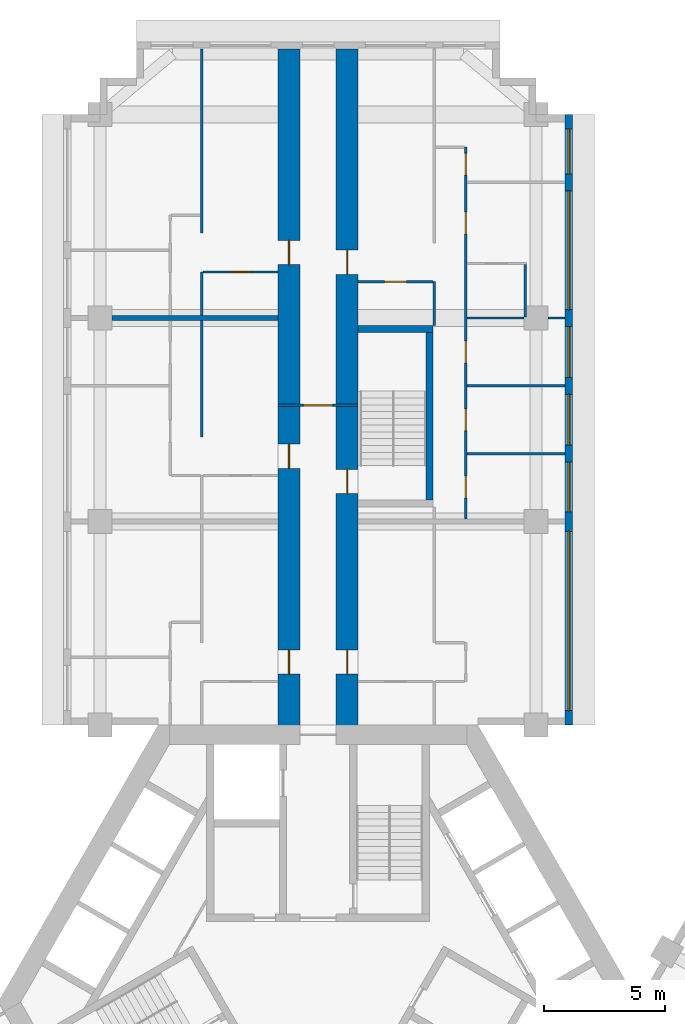
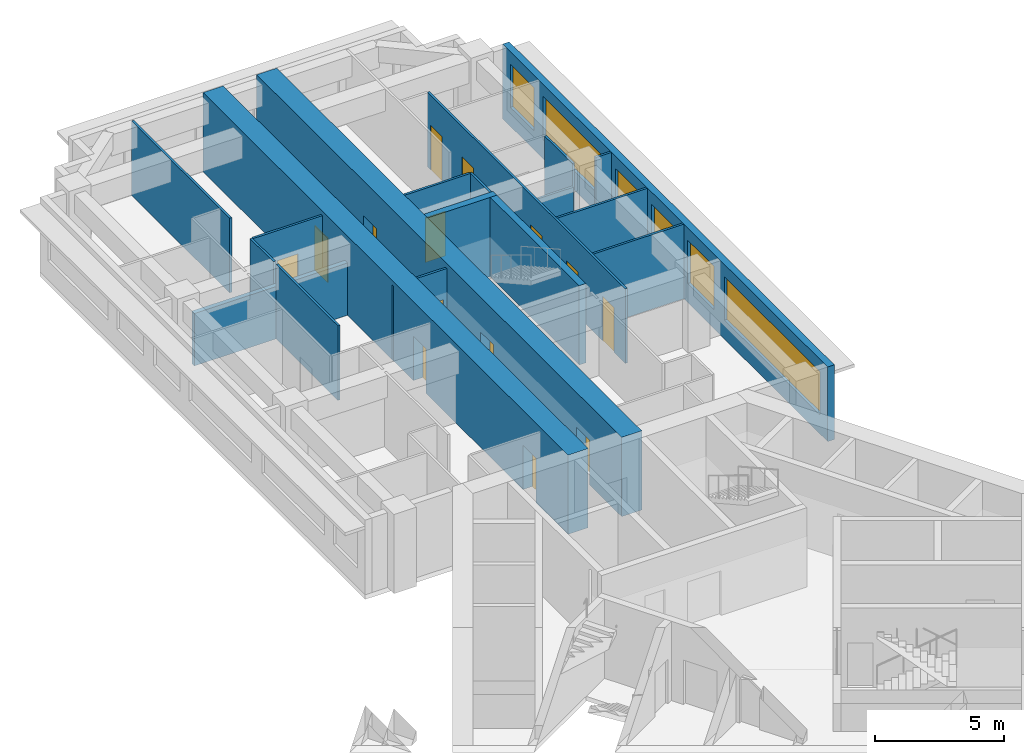
# One storey, part 10 of 14: 19 walls, 14 doors, 6 windows, 20 openings.
"""IFC4 building model written with IfcOpenShell, lengths in metres."""

from ifc_helpers import new_model, si_unit, direction, frame, frame_2d, origin, place, context, subcontext, project, spatial, rectangle, extrude, material, layer, layer_set, type_object, element, fill, save


model = new_model("IFC4")

# Units and contexts
model_context = context("Model", 3, precision=1e-05, world=origin(), true_north=direction((0.0, 1.0)))
body_context = subcontext(model_context, "Body", "Model", "MODEL_VIEW")
ifc_project = project(units=[si_unit("LENGTHUNIT", "METRE"), si_unit("AREAUNIT", "SQUARE_METRE"), si_unit("VOLUMEUNIT", "CUBIC_METRE"), si_unit("PLANEANGLEUNIT", "RADIAN"), si_unit("MASSUNIT", "GRAM", prefix="KILO")], contexts=[model_context])

# Site, building, storey
site_placement = place(None, origin())
site = spatial("IfcSite", under=ifc_project, at=site_placement, CompositionType="ELEMENT")
building_placement = place(site_placement, origin())
building = spatial("IfcBuilding", under=site, at=building_placement, Name="Impinga Residences", CompositionType="ELEMENT")
storey_placement = place(building_placement, frame((0.0, 0.0, 158.5)))
storey = spatial("IfcBuildingStorey", under=building, at=storey_placement, Name="L39", CompositionType="ELEMENT", Elevation=158.5)

# Wall, openings, doors
ifc_material_1 = material(Name="Concrete C60/75", Category="concrete")
ifc_layer_1 = layer(ifc_material_1, 0.89990234375)
ifc_layer_set_1 = layer_set([ifc_layer_1], Name="Concrete C60/75")
wall_type_1 = type_object("IfcWallType", Name="BW2 corridor buttress wall, L24 to L44 900", PredefinedType="SHEAR", material=ifc_layer_set_1)
wall_1_placement = place(storey_placement, frame((-1.199951171875, 11.031494140625, 0.0), z_axis=(0.0, 0.0, 1.0), x_axis=(0.0, 1.0, 0.0)))
wall_1 = element("IfcWall", 1, at=wall_1_placement, inside=storey, type_object=wall_type_1, Name="Corridor wall BW2 NC L39", PredefinedType="SHEAR", context=body_context, shape_type="SweptSolid", body=[
    extrude(rectangle(XDim=28.300048828125, YDim=0.89990234375, at=frame_2d((14.14990234375, 0.0))), origin(), (0.0, 0.0, 1.0), 3.75),
])
opening_1_placement = place(wall_1_placement, frame((2.5, 0.0, 0.0)))
opening_1 = element("IfcOpeningElement", 2, at=opening_1_placement, cuts=wall_1, Name="Opening D1", PredefinedType="OPENING", context=body_context, shape_type="SweptSolid", body=[
    extrude(rectangle(XDim=1.0, YDim=2.10009765625, at=frame_2d((0.5, 1.050048828125))), frame((0.0, 0.4599609375, 0.0), z_axis=(0.0, -1.0, 0.0), x_axis=(1.0, 0.0, 0.0)), (0.0, 0.0, 1.0), 0.919921875),
])
opening_2_placement = place(wall_1_placement, frame((11.0, 0.0, 0.0)))
opening_2 = element("IfcOpeningElement", 3, at=opening_2_placement, cuts=wall_1, Name="Opening D1", PredefinedType="OPENING", context=body_context, shape_type="SweptSolid", body=[
    extrude(rectangle(XDim=1.0, YDim=2.10009765625, at=frame_2d((0.5, 1.050048828125))), frame((0.0, 0.4599609375, 0.0), z_axis=(0.0, -1.0, 0.0), x_axis=(1.0, 0.0, 0.0)), (0.0, 0.0, 1.0), 0.919921875),
])
opening_3_placement = place(wall_1_placement, frame((19.39990234375, 0.0, 0.0)))
opening_3 = element("IfcOpeningElement", 4, at=opening_3_placement, cuts=wall_1, Name="Opening D1", PredefinedType="OPENING", context=body_context, shape_type="SweptSolid", body=[
    extrude(rectangle(XDim=1.0, YDim=2.10009765625, at=frame_2d((0.5, 1.050048828125))), frame((0.0, 0.4599609375, 0.0), z_axis=(0.0, -1.0, 0.0), x_axis=(1.0, 0.0, 0.0)), (0.0, 0.0, 1.0), 0.919921875),
])
ifc_material_2 = material(Name="Timber door set", Category="wood")
door_type_1 = type_object("IfcDoorType", Name="D1 apartment entrance door 1000x2100", OperationType="SINGLE_SWING_LEFT", PredefinedType="DOOR", material=ifc_material_2)
door_1_placement = place(opening_1_placement, origin())
door_1 = element("IfcDoor", 5, at=door_1_placement, inside=storey, type_object=door_type_1, Name="Apartment L39-NA1 entrance", OperationType="SINGLE_SWING_LEFT", OverallHeight=2.10009765625, OverallWidth=1.0, PredefinedType="DOOR", context=body_context, shape_type="SweptSolid", body=[
    extrude(rectangle(XDim=1.0, YDim=2.10009765625, at=frame_2d((0.5, 1.050048828125))), frame((0.0, 0.02490234375, 0.0), z_axis=(0.0, -1.0, 0.0), x_axis=(1.0, 0.0, 0.0)), (0.0, 0.0, 1.0), 0.050048828125),
])
fill(opening_1, door_1)
door_2_placement = place(opening_2_placement, origin())
door_2 = element("IfcDoor", 6, at=door_2_placement, inside=storey, type_object=door_type_1, Name="Apartment L39-NA2 entrance", OperationType="SINGLE_SWING_LEFT", OverallHeight=2.10009765625, OverallWidth=1.0, PredefinedType="DOOR", context=body_context, shape_type="SweptSolid", body=[
    extrude(rectangle(XDim=1.0, YDim=2.10009765625, at=frame_2d((0.5, 1.050048828125))), frame((0.0, 0.02490234375, 0.0), z_axis=(0.0, -1.0, 0.0), x_axis=(1.0, 0.0, 0.0)), (0.0, 0.0, 1.0), 0.050048828125),
])
fill(opening_2, door_2)
door_3_placement = place(opening_3_placement, origin())
door_3 = element("IfcDoor", 7, at=door_3_placement, inside=storey, type_object=door_type_1, Name="Apartment L39-NA3 entrance", OperationType="SINGLE_SWING_RIGHT", OverallHeight=2.10009765625, OverallWidth=1.0, PredefinedType="DOOR", context=body_context, shape_type="SweptSolid", body=[
    extrude(rectangle(XDim=1.0, YDim=2.10009765625, at=frame_2d((0.5, 1.050048828125))), frame((0.0, 0.02490234375, 0.0), z_axis=(0.0, -1.0, 0.0), x_axis=(1.0, 0.0, 0.0)), (0.0, 0.0, 1.0), 0.050048828125),
])
fill(opening_3, door_3)

wall_2_placement = place(storey_placement, frame((1.199951171875, 11.031494140625, 0.0), z_axis=(0.0, 0.0, 1.0), x_axis=(0.0, 1.0, 0.0)))
wall_2 = element("IfcWall", 8, at=wall_2_placement, inside=storey, type_object=wall_type_1, Name="Corridor wall BW2 ND L39", PredefinedType="SHEAR", context=body_context, shape_type="SweptSolid", body=[
    extrude(rectangle(XDim=28.300048828125, YDim=0.89990234375, at=frame_2d((14.14990234375, 0.0))), origin(), (0.0, 0.0, 1.0), 3.75),
])
opening_4_placement = place(wall_2_placement, frame((9.949951171875, 0.0, 0.0)))
opening_4 = element("IfcOpeningElement", 9, at=opening_4_placement, cuts=wall_2, Name="Opening D5", PredefinedType="OPENING", context=body_context, shape_type="SweptSolid", body=[
    extrude(rectangle(XDim=1.0, YDim=2.10009765625, at=frame_2d((0.5, 1.050048828125))), frame((0.0, 0.4599609375, 0.0), z_axis=(0.0, -1.0, 0.0), x_axis=(1.0, 0.0, 0.0)), (0.0, 0.0, 1.0), 0.919921875),
])
opening_5_placement = place(wall_2_placement, frame((2.5, 0.0, 0.0)))
opening_5 = element("IfcOpeningElement", 10, at=opening_5_placement, cuts=wall_2, Name="Opening D1", PredefinedType="OPENING", context=body_context, shape_type="SweptSolid", body=[
    extrude(rectangle(XDim=1.0, YDim=2.10009765625, at=frame_2d((0.5, 1.050048828125))), frame((0.0, 0.4599609375, 0.0), z_axis=(0.0, -1.0, 0.0), x_axis=(1.0, 0.0, 0.0)), (0.0, 0.0, 1.0), 0.919921875),
])
opening_6_placement = place(wall_2_placement, frame((19.0, 0.0, 0.0)))
opening_6 = element("IfcOpeningElement", 11, at=opening_6_placement, cuts=wall_2, Name="Opening D1", PredefinedType="OPENING", context=body_context, shape_type="SweptSolid", body=[
    extrude(rectangle(XDim=1.0, YDim=2.10009765625, at=frame_2d((0.5, 1.050048828125))), frame((0.0, 0.4599609375, 0.0), z_axis=(0.0, -1.0, 0.0), x_axis=(1.0, 0.0, 0.0)), (0.0, 0.0, 1.0), 0.919921875),
])
door_4_placement = place(opening_5_placement, origin())
door_4 = element("IfcDoor", 12, at=door_4_placement, inside=storey, type_object=door_type_1, Name="Apartment L39-NF1 entrance", OperationType="SINGLE_SWING_LEFT", OverallHeight=2.10009765625, OverallWidth=1.0, PredefinedType="DOOR", context=body_context, shape_type="SweptSolid", body=[
    extrude(rectangle(XDim=1.0, YDim=2.10009765625, at=frame_2d((0.5, 1.050048828125))), frame((0.0, 0.02490234375, 0.0), z_axis=(0.0, -1.0, 0.0), x_axis=(1.0, 0.0, 0.0)), (0.0, 0.0, 1.0), 0.050048828125),
])
fill(opening_5, door_4)
door_5_placement = place(opening_6_placement, origin())
door_5 = element("IfcDoor", 13, at=door_5_placement, inside=storey, type_object=door_type_1, Name="Apartment L39-NF2 entrance", OperationType="SINGLE_SWING_RIGHT", OverallHeight=2.10009765625, OverallWidth=1.0, PredefinedType="DOOR", context=body_context, shape_type="SweptSolid", body=[
    extrude(rectangle(XDim=1.0, YDim=2.10009765625, at=frame_2d((0.5, 1.050048828125))), frame((0.0, 0.02490234375, 0.0), z_axis=(0.0, -1.0, 0.0), x_axis=(1.0, 0.0, 0.0)), (0.0, 0.0, 1.0), 0.050048828125),
])
fill(opening_6, door_5)
door_type_2 = type_object("IfcDoorType", Name="D5 stair door 1000x2100", OperationType="SINGLE_SWING_LEFT", PredefinedType="DOOR", material=ifc_material_2)
door_6_placement = place(opening_4_placement, origin())
door_6 = element("IfcDoor", 14, at=door_6_placement, inside=storey, type_object=door_type_2, Name="Wing stair door N", OperationType="SINGLE_SWING_LEFT", OverallHeight=2.10009765625, OverallWidth=1.0, PredefinedType="DOOR", context=body_context, shape_type="SweptSolid", body=[
    extrude(rectangle(XDim=1.0, YDim=2.10009765625, at=frame_2d((0.5, 1.050048828125))), frame((0.0, 0.02490234375, 0.0), z_axis=(0.0, -1.0, 0.0), x_axis=(1.0, 0.0, 0.0)), (0.0, 0.0, 1.0), 0.050048828125),
])
fill(opening_4, door_6)

# Wall, opening, door
ifc_material_3 = material(Name="Concrete blockwork", Category="masonry")
ifc_layer_2 = layer(ifc_material_3, 0.10009765625)
ifc_layer_set_2 = layer_set([ifc_layer_2], Name="CP1 core room partition, blockwork 100")
wall_type_2 = type_object("IfcWallType", Name="CP1 core room partition, blockwork 100", PredefinedType="PARTITIONING", material=ifc_layer_set_2)
wall_3_placement = place(storey_placement, frame((-1.64990234375, 24.631591796875, 0.0), z_axis=(0.0, 0.0, 1.0), x_axis=(1.0, 0.0, 0.0)))
wall_3 = element("IfcWall", 15, at=wall_3_placement, inside=storey, type_object=wall_type_2, Name="Core room partition, blockwork L39:N:PLB", PredefinedType="PARTITIONING", context=body_context, shape_type="SweptSolid", body=[
    extrude(rectangle(XDim=3.2998046875, YDim=0.10009765625, at=frame_2d((1.64990234375, 0.0))), origin(), (0.0, 0.0, 1.0), 3.530029296875),
])
opening_7_placement = place(wall_3_placement, frame((1.050048828125, 0.0, 0.0)))
opening_7 = element("IfcOpeningElement", 16, at=opening_7_placement, cuts=wall_3, Name="Opening D3", PredefinedType="OPENING", context=body_context, shape_type="SweptSolid", body=[
    extrude(rectangle(XDim=1.199951171875, YDim=2.10009765625, at=frame_2d((0.60009765625, 1.050048828125))), frame((0.0, 0.06005859375, 0.0), z_axis=(0.0, -1.0, 0.0), x_axis=(1.0, 0.0, 0.0)), (0.0, 0.0, 1.0), 0.1201171875),
])
door_type_3 = type_object("IfcDoorType", Name="D3 room door, leaf and a half 1200x2100", OperationType="DOUBLE_SWING_LEFT", PredefinedType="DOOR", material=ifc_material_2)
door_7_placement = place(opening_7_placement, origin())
door_7 = element("IfcDoor", 17, at=door_7_placement, inside=storey, type_object=door_type_3, Name="Private lobby door N", OperationType="DOUBLE_SWING_LEFT", OverallHeight=2.10009765625, OverallWidth=1.199951171875, PredefinedType="DOOR", context=body_context, shape_type="SweptSolid", body=[
    extrude(rectangle(XDim=1.199951171875, YDim=2.10009765625, at=frame_2d((0.60009765625, 1.050048828125))), frame((0.0, 0.02490234375, 0.0), z_axis=(0.0, -1.0, 0.0), x_axis=(1.0, 0.0, 0.0)), (0.0, 0.0, 1.0), 0.050048828125),
])
fill(opening_7, door_7)

# Wall, openings, windows
ifc_material_4 = material(Name="Terracotta rainscreen on blockwork", Category="masonry")
ifc_layer_3 = layer(ifc_material_4, 0.300048828125)
ifc_layer_set_3 = layer_set([ifc_layer_3], Name="EW1 external wall, terracotta rainscreen on blockwork 300")
wall_type_3 = type_object("IfcWallType", Name="EW1 external wall, terracotta rainscreen on blockwork 300", PredefinedType="SOLIDWALL", material=ifc_layer_set_3)
wall_4_placement = place(storey_placement, frame((10.35009765625, 36.631591796875, 0.0), z_axis=(0.0, 0.0, 1.0), x_axis=(0.0, -1.0, 0.0)))
wall_4 = element("IfcWall", 18, at=wall_4_placement, inside=storey, type_object=wall_type_3, Name="External wall EW1 L39", PredefinedType="SOLIDWALL", context=body_context, shape_type="SweptSolid", body=[
    extrude(rectangle(XDim=25.199951171875, YDim=0.300048828125, at=frame_2d((12.60009765625, 0.0))), origin(), (0.0, 0.0, 1.0), 3.530029296875),
])
opening_8_placement = place(wall_4_placement, frame((0.60009765625, 0.0, 0.89990234375)))
opening_8 = element("IfcOpeningElement", 19, at=opening_8_placement, cuts=wall_4, Name="Opening W15", PredefinedType="OPENING", context=body_context, shape_type="SweptSolid", body=[
    extrude(rectangle(XDim=1.85009765625, YDim=2.050048828125, at=frame_2d((0.925048828125, 1.02490234375))), frame((0.0, 0.159912109375, 0.0), z_axis=(0.0, -1.0, 0.0), x_axis=(1.0, 0.0, 0.0)), (0.0, 0.0, 1.0), 0.320068359375),
])
opening_9_placement = place(wall_4_placement, frame((3.14990234375, 0.0, 0.89990234375)))
opening_9 = element("IfcOpeningElement", 20, at=opening_9_placement, cuts=wall_4, Name="Opening W16", PredefinedType="OPENING", context=body_context, shape_type="SweptSolid", body=[
    extrude(rectangle(XDim=4.89990234375, YDim=2.050048828125, at=frame_2d((2.449951171875, 1.02490234375))), frame((0.0, 0.159912109375, 0.0), z_axis=(0.0, -1.0, 0.0), x_axis=(1.0, 0.0, 0.0)), (0.0, 0.0, 1.0), 0.320068359375),
])
opening_10_placement = place(wall_4_placement, frame((8.75, 0.0, 0.89990234375)))
opening_10 = element("IfcOpeningElement", 21, at=opening_10_placement, cuts=wall_4, Name="Opening W9", PredefinedType="OPENING", context=body_context, shape_type="SweptSolid", body=[
    extrude(rectangle(XDim=2.10009765625, YDim=2.050048828125, at=frame_2d((1.050048828125, 1.02490234375))), frame((0.0, 0.159912109375, 0.0), z_axis=(0.0, -1.0, 0.0), x_axis=(1.0, 0.0, 0.0)), (0.0, 0.0, 1.0), 0.320068359375),
])
opening_11_placement = place(wall_4_placement, frame((11.550048828125, 0.0, 0.89990234375)))
opening_11 = element("IfcOpeningElement", 22, at=opening_11_placement, cuts=wall_4, Name="Opening W9", PredefinedType="OPENING", context=body_context, shape_type="SweptSolid", body=[
    extrude(rectangle(XDim=2.10009765625, YDim=2.050048828125, at=frame_2d((1.050048828125, 1.02490234375))), frame((0.0, 0.159912109375, 0.0), z_axis=(0.0, -1.0, 0.0), x_axis=(1.0, 0.0, 0.0)), (0.0, 0.0, 1.0), 0.320068359375),
])
opening_12_placement = place(wall_4_placement, frame((14.35009765625, 0.0, 0.89990234375)))
opening_12 = element("IfcOpeningElement", 23, at=opening_12_placement, cuts=wall_4, Name="Opening W14", PredefinedType="OPENING", context=body_context, shape_type="SweptSolid", body=[
    extrude(rectangle(XDim=2.050048828125, YDim=2.050048828125, at=frame_2d((1.02490234375, 1.02490234375))), frame((0.0, 0.159912109375, 0.0), z_axis=(0.0, -1.0, 0.0), x_axis=(1.0, 0.0, 0.0)), (0.0, 0.0, 1.0), 0.320068359375),
])
opening_13_placement = place(wall_4_placement, frame((17.199951171875, 0.0, 0.89990234375)))
opening_13 = element("IfcOpeningElement", 24, at=opening_13_placement, cuts=wall_4, Name="Opening W12", PredefinedType="OPENING", context=body_context, shape_type="SweptSolid", body=[
    extrude(rectangle(XDim=7.39990234375, YDim=2.050048828125, at=frame_2d((3.699951171875, 1.02490234375))), frame((0.0, 0.159912109375, 0.0), z_axis=(0.0, -1.0, 0.0), x_axis=(1.0, 0.0, 0.0)), (0.0, 0.0, 1.0), 0.320068359375),
])
ifc_material_5 = material(Name="Aluminium window, clear double glazing", Category="aluminium")
window_type_1 = type_object("IfcWindowType", Name="W12 ribbon window 7400x2050", PartitioningType="SINGLE_PANEL", PredefinedType="WINDOW", material=ifc_material_5)
window_1_placement = place(opening_13_placement, origin())
window_1 = element("IfcWindow", 25, at=window_1_placement, inside=storey, type_object=window_type_1, Name="Window L39", OverallHeight=2.050048828125, OverallWidth=7.39990234375, PartitioningType="SINGLE_PANEL", PredefinedType="WINDOW", context=body_context, shape_type="SweptSolid", body=[
    extrude(rectangle(XDim=7.39990234375, YDim=2.050048828125, at=frame_2d((3.699951171875, 1.02490234375))), frame((0.0, 0.030029296875, 0.0), z_axis=(0.0, -1.0, 0.0), x_axis=(1.0, 0.0, 0.0)), (0.0, 0.0, 1.0), 0.06005859375),
])
fill(opening_13, window_1)
window_type_2 = type_object("IfcWindowType", Name="W14 ribbon window 2050x2050", PartitioningType="SINGLE_PANEL", PredefinedType="WINDOW", material=ifc_material_5)
window_2_placement = place(opening_12_placement, origin())
window_2 = element("IfcWindow", 26, at=window_2_placement, inside=storey, type_object=window_type_2, Name="Window L39", OverallHeight=2.050048828125, OverallWidth=2.050048828125, PartitioningType="SINGLE_PANEL", PredefinedType="WINDOW", context=body_context, shape_type="SweptSolid", body=[
    extrude(rectangle(XDim=2.050048828125, YDim=2.050048828125, at=frame_2d((1.02490234375, 1.02490234375))), frame((0.0, 0.030029296875, 0.0), z_axis=(0.0, -1.0, 0.0), x_axis=(1.0, 0.0, 0.0)), (0.0, 0.0, 1.0), 0.06005859375),
])
fill(opening_12, window_2)
window_type_3 = type_object("IfcWindowType", Name="W15 ribbon window 1850x2050", PartitioningType="SINGLE_PANEL", PredefinedType="WINDOW", material=ifc_material_5)
window_3_placement = place(opening_8_placement, origin())
window_3 = element("IfcWindow", 27, at=window_3_placement, inside=storey, type_object=window_type_3, Name="Window L39", OverallHeight=2.050048828125, OverallWidth=1.85009765625, PartitioningType="SINGLE_PANEL", PredefinedType="WINDOW", context=body_context, shape_type="SweptSolid", body=[
    extrude(rectangle(XDim=1.85009765625, YDim=2.050048828125, at=frame_2d((0.925048828125, 1.02490234375))), frame((0.0, 0.030029296875, 0.0), z_axis=(0.0, -1.0, 0.0), x_axis=(1.0, 0.0, 0.0)), (0.0, 0.0, 1.0), 0.06005859375),
])
fill(opening_8, window_3)
window_type_4 = type_object("IfcWindowType", Name="W16 ribbon window 4900x2050", PartitioningType="SINGLE_PANEL", PredefinedType="WINDOW", material=ifc_material_5)
window_4_placement = place(opening_9_placement, origin())
window_4 = element("IfcWindow", 28, at=window_4_placement, inside=storey, type_object=window_type_4, Name="Window L39", OverallHeight=2.050048828125, OverallWidth=4.89990234375, PartitioningType="SINGLE_PANEL", PredefinedType="WINDOW", context=body_context, shape_type="SweptSolid", body=[
    extrude(rectangle(XDim=4.89990234375, YDim=2.050048828125, at=frame_2d((2.449951171875, 1.02490234375))), frame((0.0, 0.030029296875, 0.0), z_axis=(0.0, -1.0, 0.0), x_axis=(1.0, 0.0, 0.0)), (0.0, 0.0, 1.0), 0.06005859375),
])
fill(opening_9, window_4)
window_type_5 = type_object("IfcWindowType", Name="W9 ribbon window 2100x2050", PartitioningType="SINGLE_PANEL", PredefinedType="WINDOW", material=ifc_material_5)
window_5_placement = place(opening_10_placement, origin())
window_5 = element("IfcWindow", 29, at=window_5_placement, inside=storey, type_object=window_type_5, Name="Window L39", OverallHeight=2.050048828125, OverallWidth=2.10009765625, PartitioningType="SINGLE_PANEL", PredefinedType="WINDOW", context=body_context, shape_type="SweptSolid", body=[
    extrude(rectangle(XDim=2.10009765625, YDim=2.050048828125, at=frame_2d((1.050048828125, 1.02490234375))), frame((0.0, 0.030029296875, 0.0), z_axis=(0.0, -1.0, 0.0), x_axis=(1.0, 0.0, 0.0)), (0.0, 0.0, 1.0), 0.06005859375),
])
fill(opening_10, window_5)
window_6_placement = place(opening_11_placement, origin())
window_6 = element("IfcWindow", 30, at=window_6_placement, inside=storey, type_object=window_type_5, Name="Window L39", OverallHeight=2.050048828125, OverallWidth=2.10009765625, PartitioningType="SINGLE_PANEL", PredefinedType="WINDOW", context=body_context, shape_type="SweptSolid", body=[
    extrude(rectangle(XDim=2.10009765625, YDim=2.050048828125, at=frame_2d((1.050048828125, 1.02490234375))), frame((0.0, 0.030029296875, 0.0), z_axis=(0.0, -1.0, 0.0), x_axis=(1.0, 0.0, 0.0)), (0.0, 0.0, 1.0), 0.06005859375),
])
fill(opening_11, window_6)

# Walls
ifc_material_6 = material(Name="Gypsum board on steel studs", Category="steel")
ifc_layer_4 = layer(ifc_material_6, 0.10009765625)
ifc_layer_set_4 = layer_set([ifc_layer_4], Name="Gypsum board on steel studs")
wall_type_4 = type_object("IfcWallType", Name="IP1 partition 100", PredefinedType="PARTITIONING", material=ifc_layer_set_4)
wall_5_placement = place(storey_placement, frame((-4.800048828125, 23.33154296875, 0.0), z_axis=(0.0, 0.0, 1.0), x_axis=(0.0, 1.0, 0.0)))
element("IfcWall", 31, at=wall_5_placement, inside=storey, type_object=wall_type_4, Name="Partition L39-NA2:DIV1", PredefinedType="PARTITIONING", context=body_context, shape_type="SweptSolid", body=[
    extrude(rectangle(XDim=4.800048828125, YDim=0.10009765625, at=frame_2d((2.39990234375, 0.0))), origin(), (0.0, 0.0, 1.0), 3.530029296875),
])
wall_6_placement = place(storey_placement, frame((-4.800048828125, 28.33154296875, 0.0), z_axis=(0.0, 0.0, 1.0), x_axis=(0.0, 1.0, 0.0)))
element("IfcWall", 32, at=wall_6_placement, inside=storey, type_object=wall_type_4, Name="Partition L39-NA3:DIV0", PredefinedType="PARTITIONING", context=body_context, shape_type="SweptSolid", body=[
    extrude(rectangle(XDim=1.800048828125, YDim=0.10009765625, at=frame_2d((0.89990234375, 0.0))), origin(), (0.0, 0.0, 1.0), 3.530029296875),
])
wall_7_placement = place(storey_placement, frame((-4.800048828125, 31.7314453125, 0.0), z_axis=(0.0, 0.0, 1.0), x_axis=(0.0, 1.0, 0.0)))
element("IfcWall", 33, at=wall_7_placement, inside=storey, type_object=wall_type_4, Name="Partition L39-NA3:DIV1", PredefinedType="PARTITIONING", context=body_context, shape_type="SweptSolid", body=[
    extrude(rectangle(XDim=7.60009765625, YDim=0.10009765625, at=frame_2d((3.800048828125, 0.0))), origin(), (0.0, 0.0, 1.0), 3.530029296875),
])

# Wall, opening, door
wall_8_placement = place(storey_placement, frame((-1.64990234375, 30.131591796875, 0.0), z_axis=(0.0, 0.0, 1.0), x_axis=(-1.0, 0.0, 0.0)))
wall_8 = element("IfcWall", 34, at=wall_8_placement, inside=storey, type_object=wall_type_4, Name="Partition L39-NA3:IB1", PredefinedType="PARTITIONING", context=body_context, shape_type="SweptSolid", body=[
    extrude(rectangle(XDim=3.10009765625, YDim=0.10009765625, at=frame_2d((1.550048828125, 0.0))), origin(), (0.0, 0.0, 1.0), 3.530029296875),
])
opening_14_placement = place(wall_8_placement, frame((1.10009765625, 0.0, 0.0)))
opening_14 = element("IfcOpeningElement", 35, at=opening_14_placement, cuts=wall_8, Name="Opening D2", PredefinedType="OPENING", context=body_context, shape_type="SweptSolid", body=[
    extrude(rectangle(XDim=0.89990234375, YDim=2.10009765625, at=frame_2d((0.449951171875, 1.050048828125))), frame((0.0, 0.06005859375, 0.0), z_axis=(0.0, -1.0, 0.0), x_axis=(1.0, 0.0, 0.0)), (0.0, 0.0, 1.0), 0.1201171875),
])
door_type_4 = type_object("IfcDoorType", Name="D2 internal door 900x2100", OperationType="SINGLE_SWING_LEFT", PredefinedType="DOOR", material=ifc_material_2)
door_8_placement = place(opening_14_placement, origin())
door_8 = element("IfcDoor", 36, at=door_8_placement, inside=storey, type_object=door_type_4, Name="Apartment L39-NA3 bathroom door", OperationType="SINGLE_SWING_LEFT", OverallHeight=2.10009765625, OverallWidth=0.89990234375, PredefinedType="DOOR", context=body_context, shape_type="SweptSolid", body=[
    extrude(rectangle(XDim=0.89990234375, YDim=2.10009765625, at=frame_2d((0.449951171875, 1.050048828125))), frame((0.0, 0.02490234375, 0.0), z_axis=(0.0, -1.0, 0.0), x_axis=(1.0, 0.0, 0.0)), (0.0, 0.0, 1.0), 0.050048828125),
])
fill(opening_14, door_8)

# Wall
wall_9_placement = place(storey_placement, frame((4.800048828125, 27.931640625, 0.0), z_axis=(0.0, 0.0, 1.0), x_axis=(0.0, 1.0, 0.0)))
element("IfcWall", 37, at=wall_9_placement, inside=storey, type_object=wall_type_4, Name="Partition L39-NF2:DIV1", PredefinedType="PARTITIONING", context=body_context, shape_type="SweptSolid", body=[
    extrude(rectangle(XDim=1.7998046875, YDim=0.10009765625, at=frame_2d((0.89990234375, 0.0))), origin(), (0.0, 0.0, 1.0), 3.530029296875),
])

# Wall, openings, doors
wall_10_placement = place(storey_placement, frame((6.10009765625, 19.931640625, 0.0), z_axis=(0.0, 0.0, 1.0), x_axis=(0.0, 1.0, 0.0)))
wall_10 = element("IfcWall", 38, at=wall_10_placement, inside=storey, type_object=wall_type_4, Name="Partition L39-NF2:STRIP", PredefinedType="PARTITIONING", context=body_context, shape_type="SweptSolid", body=[
    extrude(rectangle(XDim=15.349853515625, YDim=0.10009765625, at=frame_2d((7.6748046875, 0.0))), origin(), (0.0, 0.0, 1.0), 3.530029296875),
])
opening_15_placement = place(wall_10_placement, frame((0.875, 0.0, 0.0)))
opening_15 = element("IfcOpeningElement", 39, at=opening_15_placement, cuts=wall_10, Name="Opening D2", PredefinedType="OPENING", context=body_context, shape_type="SweptSolid", body=[
    extrude(rectangle(XDim=0.89990234375, YDim=2.10009765625, at=frame_2d((0.449951171875, 1.050048828125))), frame((0.0, 0.06005859375, 0.0), z_axis=(0.0, -1.0, 0.0), x_axis=(1.0, 0.0, 0.0)), (0.0, 0.0, 1.0), 0.1201171875),
])
opening_16_placement = place(wall_10_placement, frame((3.64990234375, 0.0, 0.0)))
opening_16 = element("IfcOpeningElement", 40, at=opening_16_placement, cuts=wall_10, Name="Opening D2", PredefinedType="OPENING", context=body_context, shape_type="SweptSolid", body=[
    extrude(rectangle(XDim=0.89990234375, YDim=2.10009765625, at=frame_2d((0.449951171875, 1.050048828125))), frame((0.0, 0.06005859375, 0.0), z_axis=(0.0, -1.0, 0.0), x_axis=(1.0, 0.0, 0.0)), (0.0, 0.0, 1.0), 0.1201171875),
])
opening_17_placement = place(wall_10_placement, frame((6.449951171875, 0.0, 0.0)))
opening_17 = element("IfcOpeningElement", 41, at=opening_17_placement, cuts=wall_10, Name="Opening D2", PredefinedType="OPENING", context=body_context, shape_type="SweptSolid", body=[
    extrude(rectangle(XDim=0.89990234375, YDim=2.10009765625, at=frame_2d((0.449951171875, 1.050048828125))), frame((0.0, 0.06005859375, 0.0), z_axis=(0.0, -1.0, 0.0), x_axis=(1.0, 0.0, 0.0)), (0.0, 0.0, 1.0), 0.1201171875),
])
opening_18_placement = place(wall_10_placement, frame((11.77490234375, 0.0, 0.0)))
opening_18 = element("IfcOpeningElement", 42, at=opening_18_placement, cuts=wall_10, Name="Opening D2", PredefinedType="OPENING", context=body_context, shape_type="SweptSolid", body=[
    extrude(rectangle(XDim=0.89990234375, YDim=2.10009765625, at=frame_2d((0.449951171875, 1.050048828125))), frame((0.0, 0.06005859375, 0.0), z_axis=(0.0, -1.0, 0.0), x_axis=(1.0, 0.0, 0.0)), (0.0, 0.0, 1.0), 0.1201171875),
])
opening_19_placement = place(wall_10_placement, frame((14.199951171875, 0.0, 0.0)))
opening_19 = element("IfcOpeningElement", 43, at=opening_19_placement, cuts=wall_10, Name="Opening D2", PredefinedType="OPENING", context=body_context, shape_type="SweptSolid", body=[
    extrude(rectangle(XDim=0.89990234375, YDim=2.10009765625, at=frame_2d((0.449951171875, 1.050048828125))), frame((0.0, 0.06005859375, 0.0), z_axis=(0.0, -1.0, 0.0), x_axis=(1.0, 0.0, 0.0)), (0.0, 0.0, 1.0), 0.1201171875),
])
door_9_placement = place(opening_15_placement, origin())
door_9 = element("IfcDoor", 44, at=door_9_placement, inside=storey, type_object=door_type_4, Name="Apartment L39-NF2 room door", OperationType="SINGLE_SWING_LEFT", OverallHeight=2.10009765625, OverallWidth=0.89990234375, PredefinedType="DOOR", context=body_context, shape_type="SweptSolid", body=[
    extrude(rectangle(XDim=0.89990234375, YDim=2.10009765625, at=frame_2d((0.449951171875, 1.050048828125))), frame((0.0, 0.02490234375, 0.0), z_axis=(0.0, -1.0, 0.0), x_axis=(1.0, 0.0, 0.0)), (0.0, 0.0, 1.0), 0.050048828125),
])
fill(opening_15, door_9)
door_10_placement = place(opening_16_placement, origin())
door_10 = element("IfcDoor", 45, at=door_10_placement, inside=storey, type_object=door_type_4, Name="Apartment L39-NF2 room door", OperationType="SINGLE_SWING_LEFT", OverallHeight=2.10009765625, OverallWidth=0.89990234375, PredefinedType="DOOR", context=body_context, shape_type="SweptSolid", body=[
    extrude(rectangle(XDim=0.89990234375, YDim=2.10009765625, at=frame_2d((0.449951171875, 1.050048828125))), frame((0.0, 0.02490234375, 0.0), z_axis=(0.0, -1.0, 0.0), x_axis=(1.0, 0.0, 0.0)), (0.0, 0.0, 1.0), 0.050048828125),
])
fill(opening_16, door_10)
door_11_placement = place(opening_17_placement, origin())
door_11 = element("IfcDoor", 46, at=door_11_placement, inside=storey, type_object=door_type_4, Name="Apartment L39-NF2 room door", OperationType="SINGLE_SWING_LEFT", OverallHeight=2.10009765625, OverallWidth=0.89990234375, PredefinedType="DOOR", context=body_context, shape_type="SweptSolid", body=[
    extrude(rectangle(XDim=0.89990234375, YDim=2.10009765625, at=frame_2d((0.449951171875, 1.050048828125))), frame((0.0, 0.02490234375, 0.0), z_axis=(0.0, -1.0, 0.0), x_axis=(1.0, 0.0, 0.0)), (0.0, 0.0, 1.0), 0.050048828125),
])
fill(opening_17, door_11)
door_12_placement = place(opening_18_placement, origin())
door_12 = element("IfcDoor", 47, at=door_12_placement, inside=storey, type_object=door_type_4, Name="Apartment L39-NF2 room door", OperationType="SINGLE_SWING_RIGHT", OverallHeight=2.10009765625, OverallWidth=0.89990234375, PredefinedType="DOOR", context=body_context, shape_type="SweptSolid", body=[
    extrude(rectangle(XDim=0.89990234375, YDim=2.10009765625, at=frame_2d((0.449951171875, 1.050048828125))), frame((0.0, 0.02490234375, 0.0), z_axis=(0.0, -1.0, 0.0), x_axis=(1.0, 0.0, 0.0)), (0.0, 0.0, 1.0), 0.050048828125),
])
fill(opening_18, door_12)
door_13_placement = place(opening_19_placement, origin())
door_13 = element("IfcDoor", 48, at=door_13_placement, inside=storey, type_object=door_type_4, Name="Apartment L39-NF2 room door", OperationType="SINGLE_SWING_RIGHT", OverallHeight=2.10009765625, OverallWidth=0.89990234375, PredefinedType="DOOR", context=body_context, shape_type="SweptSolid", body=[
    extrude(rectangle(XDim=0.89990234375, YDim=2.10009765625, at=frame_2d((0.449951171875, 1.050048828125))), frame((0.0, 0.02490234375, 0.0), z_axis=(0.0, -1.0, 0.0), x_axis=(1.0, 0.0, 0.0)), (0.0, 0.0, 1.0), 0.050048828125),
])
fill(opening_19, door_13)

# Wall, opening, door
wall_11_placement = place(storey_placement, frame((1.64990234375, 29.7314453125, 0.0), z_axis=(0.0, 0.0, 1.0), x_axis=(1.0, 0.0, 0.0)))
wall_11 = element("IfcWall", 49, at=wall_11_placement, inside=storey, type_object=wall_type_4, Name="Partition L39-NF2:IB1", PredefinedType="PARTITIONING", context=body_context, shape_type="SweptSolid", body=[
    extrude(rectangle(XDim=3.10009765625, YDim=0.10009765625, at=frame_2d((1.550048828125, 0.0))), origin(), (0.0, 0.0, 1.0), 3.530029296875),
])
opening_20_placement = place(wall_11_placement, frame((1.10009765625, 0.0, 0.0)))
opening_20 = element("IfcOpeningElement", 50, at=opening_20_placement, cuts=wall_11, Name="Opening D2", PredefinedType="OPENING", context=body_context, shape_type="SweptSolid", body=[
    extrude(rectangle(XDim=0.89990234375, YDim=2.10009765625, at=frame_2d((0.449951171875, 1.050048828125))), frame((0.0, 0.06005859375, 0.0), z_axis=(0.0, -1.0, 0.0), x_axis=(1.0, 0.0, 0.0)), (0.0, 0.0, 1.0), 0.1201171875),
])
door_14_placement = place(opening_20_placement, origin())
door_14 = element("IfcDoor", 51, at=door_14_placement, inside=storey, type_object=door_type_4, Name="Apartment L39-NF2 bathroom door", OperationType="SINGLE_SWING_LEFT", OverallHeight=2.10009765625, OverallWidth=0.89990234375, PredefinedType="DOOR", context=body_context, shape_type="SweptSolid", body=[
    extrude(rectangle(XDim=0.89990234375, YDim=2.10009765625, at=frame_2d((0.449951171875, 1.050048828125))), frame((0.0, 0.02490234375, 0.0), z_axis=(0.0, -1.0, 0.0), x_axis=(1.0, 0.0, 0.0)), (0.0, 0.0, 1.0), 0.050048828125),
])
fill(opening_20, door_14)

# Walls
for number, where, z_axis, x_axis, name in (
    (52, (6.14990234375, 22.631591796875, 0.0), (0.0, 0.0, 1.0), (1.0, 0.0, 0.0), "Partition L39-NF2:OB1"),
    (53, (6.14990234375, 25.431640625, 0.0), (0.0, 0.0, 1.0), (1.0, 0.0, 0.0), "Partition L39-NF2:OB2"),
):
    element("IfcWall", number, at=place(storey_placement, frame(where, z_axis=z_axis, x_axis=x_axis)), inside=storey, type_object=wall_type_4, Name=name, PredefinedType="PARTITIONING", context=body_context, shape_type="SweptSolid", body=[
        extrude(rectangle(XDim=4.050048828125, YDim=0.10009765625, at=frame_2d((2.02490234375, 0.0))), origin(), (0.0, 0.0, 1.0), 3.530029296875),
    ])
wall_12_placement = place(storey_placement, frame((6.14990234375, 28.2314453125, 0.0), z_axis=(0.0, 0.0, 1.0), x_axis=(1.0, 0.0, 0.0)))
element("IfcWall", 54, at=wall_12_placement, inside=storey, type_object=wall_type_4, Name="Partition L39-NF2:OB3", PredefinedType="PARTITIONING", context=body_context, shape_type="SweptSolid", body=[
    extrude(rectangle(XDim=2.35009765625, YDim=0.10009765625, at=frame_2d((1.175048828125, 0.0))), origin(), (0.0, 0.0, 1.0), 2.47998046875),
])
wall_13_placement = place(storey_placement, frame((9.5, 28.2314453125, 0.0), z_axis=(0.0, 0.0, 1.0), x_axis=(1.0, 0.0, 0.0)))
element("IfcWall", 55, at=wall_13_placement, inside=storey, type_object=wall_type_4, Name="Partition L39-NF2:OB3b", PredefinedType="PARTITIONING", context=body_context, shape_type="SweptSolid", body=[
    extrude(rectangle(XDim=0.699951171875, YDim=0.10009765625, at=frame_2d((0.35009765625, 0.0))), origin(), (0.0, 0.0, 1.0), 3.530029296875),
])
wall_14_placement = place(storey_placement, frame((8.550048828125, 28.281494140625, 0.0), z_axis=(0.0, 0.0, 1.0), x_axis=(0.0, 1.0, 0.0)))
element("IfcWall", 56, at=wall_14_placement, inside=storey, type_object=wall_type_4, Name="Partition L39-NF2:EN2", PredefinedType="PARTITIONING", context=body_context, shape_type="SweptSolid", body=[
    extrude(rectangle(XDim=2.150146484375, YDim=0.10009765625, at=frame_2d((1.0751953125, 0.0))), origin(), (0.0, 0.0, 1.0), 3.530029296875),
])
ifc_layer_5 = layer(ifc_material_3, 0.199951171875)
ifc_layer_set_5 = layer_set([ifc_layer_5], Name="PW1 party wall between apartments 200")
wall_type_5 = type_object("IfcWallType", Name="PW1 party wall between apartments 200", PredefinedType="SOLIDWALL", material=ifc_layer_set_5)
wall_15_placement = place(storey_placement, frame((-1.64990234375, 28.2314453125, 0.0), z_axis=(0.0, 0.0, 1.0), x_axis=(-1.0, 0.0, 0.0)))
element("IfcWall", 57, at=wall_15_placement, inside=storey, type_object=wall_type_5, Name="Party wall between apartments L39-NA2:PARTY", PredefinedType="SOLIDWALL", context=body_context, shape_type="SweptSolid", body=[
    extrude(rectangle(XDim=6.85009765625, YDim=0.199951171875, at=frame_2d((3.425048828125, 0.0))), origin(), (0.0, 0.0, 1.0), 2.47998046875),
])
ifc_layer_6 = layer(ifc_material_1, 0.300048828125)
ifc_layer_set_6 = layer_set([ifc_layer_6], Name="Concrete C60/75")
wall_type_6 = type_object("IfcWallType", Name="SE1 wing stair enclosure wall 300", PredefinedType="SOLIDWALL", material=ifc_layer_set_6)
wall_16_placement = place(storey_placement, frame((1.64990234375, 27.781494140625, 0.0), z_axis=(0.0, 0.0, 1.0), x_axis=(1.0, 0.0, 0.0)))
element("IfcWall", 58, at=wall_16_placement, inside=storey, type_object=wall_type_6, Name="Stair enclosure wall SE1 N END1 L39", PredefinedType="SOLIDWALL", context=body_context, shape_type="SweptSolid", body=[
    extrude(rectangle(XDim=3.10009765625, YDim=0.300048828125, at=frame_2d((1.550048828125, 0.0))), origin(), (0.0, 0.0, 1.0), 3.75),
])
wall_17_placement = place(storey_placement, frame((4.60009765625, 20.7314453125, 0.0), z_axis=(0.0, 0.0, 1.0), x_axis=(0.0, 1.0, 0.0)))
element("IfcWall", 59, at=wall_17_placement, inside=storey, type_object=wall_type_6, Name="Stair enclosure wall SE1 N OUT L39", PredefinedType="SOLIDWALL", context=body_context, shape_type="SweptSolid", body=[
    extrude(rectangle(XDim=6.900146484375, YDim=0.300048828125, at=frame_2d((3.4501953125, 0.0))), origin(), (0.0, 0.0, 1.0), 3.75),
])

save(model, "model.ifc")
